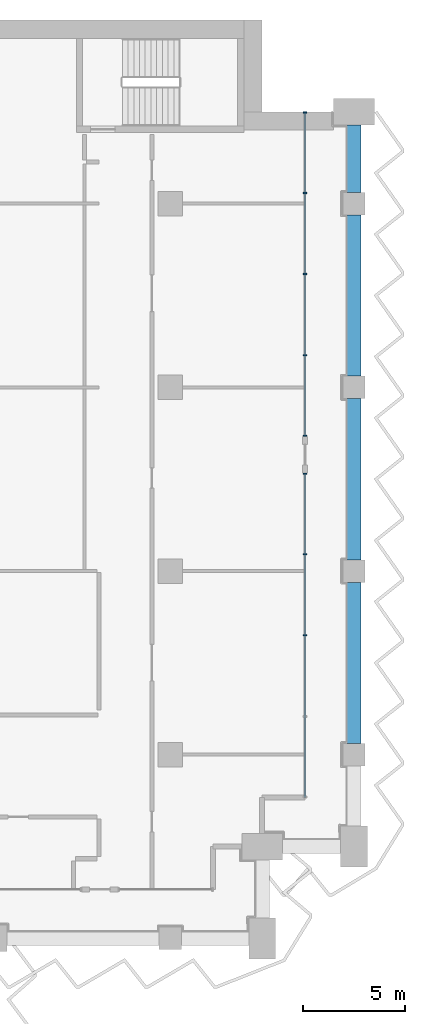
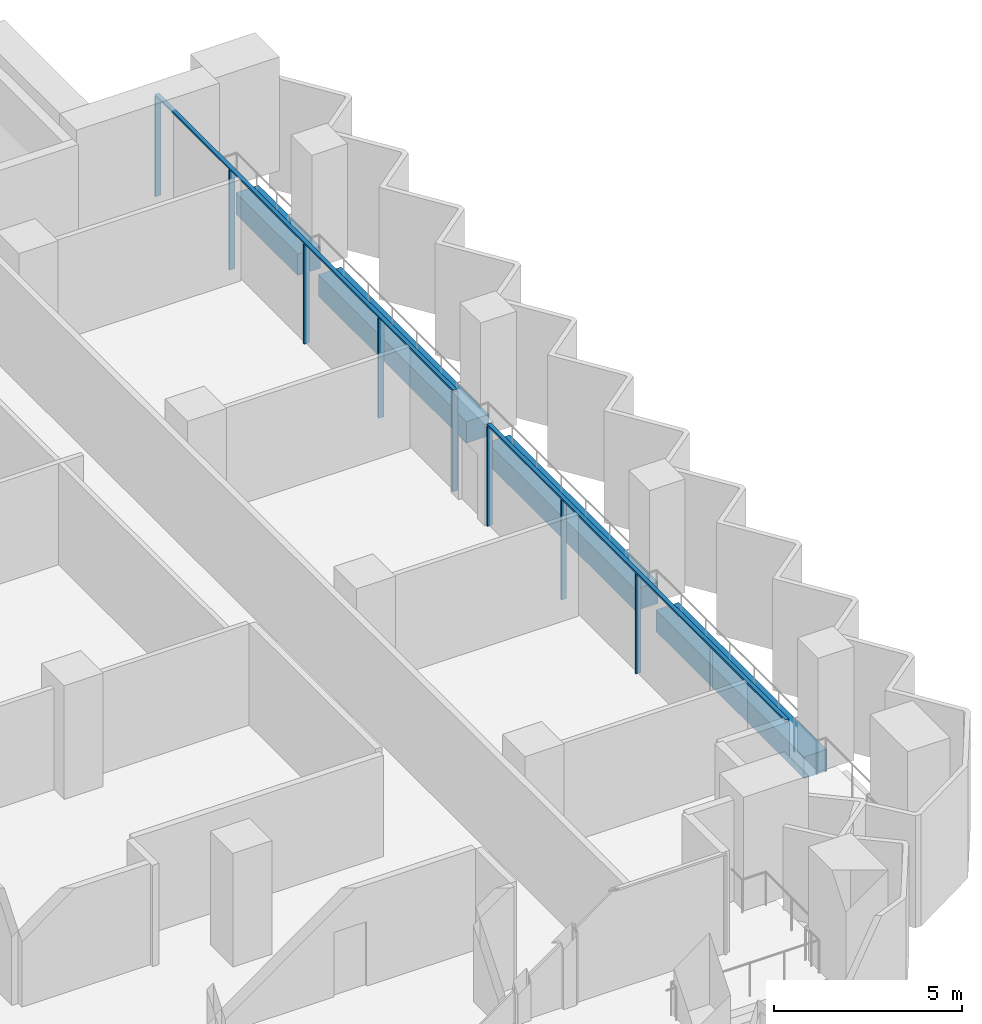
# One storey, part 5 of 22: 10 members, 4 beams, 2 elements without a shape of their own.
"""IFC4 building model written with IfcOpenShell, lengths in metres."""

from ifc_helpers import new_model, si_unit, direction, frame, origin, origin_2d, place, context, subcontext, project, spatial, rectangle, extrude, material, material_profile, profile_set, type_object, element, aggregate, save


model = new_model("IFC4")

# Units and contexts
model_context = context("Model", 3, precision=1e-05, world=origin(), true_north=direction((0.0, 1.0)))
body_context = subcontext(model_context, "Body", "Model", "MODEL_VIEW")
ifc_project = project(units=[si_unit("LENGTHUNIT", "METRE"), si_unit("AREAUNIT", "SQUARE_METRE"), si_unit("VOLUMEUNIT", "CUBIC_METRE"), si_unit("PLANEANGLEUNIT", "RADIAN"), si_unit("MASSUNIT", "GRAM", prefix="KILO")], contexts=[model_context])

# Site, building, storey
site_placement = place(None, origin())
site = spatial("IfcSite", under=ifc_project, at=site_placement, CompositionType="ELEMENT")
building_placement = place(site_placement, origin())
building = spatial("IfcBuilding", under=site, at=building_placement, Name="Hunhe Ridgeline Campus", CompositionType="ELEMENT")
storey_placement = place(building_placement, frame((0.0, 0.0, 159.699951171875)))
storey = spatial("IfcBuildingStorey", under=building, at=storey_placement, Name="L40", CompositionType="ELEMENT", Elevation=159.699951171875)

# Curtain wall, members
ifc_material_1 = material(Name="Aluminium 6063", Category="aluminium")
curtain_wall_type = type_object("IfcCurtainWallType", Name="Curtain wall CW-1", PredefinedType="NOTDEFINED", material=ifc_material_1)
curtain_wall_1_placement = place(storey_placement, origin())
curtain_wall_1 = element("IfcCurtainWall", 1, at=curtain_wall_1_placement, inside=storey, type_object=curtain_wall_type, Name="Curtain wall 15", PredefinedType="NOTDEFINED")
ifc_material_profile_1 = material_profile(ifc_material_1, rectangle(XDim=0.159912109375, YDim=0.06005859375, at=origin_2d()))
ifc_profile_set_1 = profile_set([ifc_material_profile_1], Name="Aluminium 6063")
member_type_1 = type_object("IfcMemberType", Name="CW-1 aluminium mullion", PredefinedType="MULLION", material=ifc_profile_set_1)
member_1_placement = place(storey_placement, frame((60.59912109375, 68.850830078125, 0.0), z_axis=(0.0, 0.0, 1.0), x_axis=(-1.0, 0.0, 0.0)))
member_1 = element("IfcMember", 2, at=member_1_placement, type_object=member_type_1, Name="CW-1 mullion 3", PredefinedType="MULLION", context=body_context, shape_type="SweptSolid", body=[
    extrude(rectangle(XDim=0.159912109375, YDim=0.06005859375, at=origin_2d()), origin(), (0.0, 0.0, 1.0), 3.239990234375),
])
member_2_placement = place(storey_placement, frame((60.59912109375, 72.82568359375, 0.0), z_axis=(0.0, 0.0, 1.0), x_axis=(-1.0, 0.0, 0.0)))
member_2 = element("IfcMember", 3, at=member_2_placement, type_object=member_type_1, Name="CW-1 mullion 4", PredefinedType="MULLION", context=body_context, shape_type="SweptSolid", body=[
    extrude(rectangle(XDim=0.159912109375, YDim=0.06005859375, at=origin_2d()), origin(), (0.0, 0.0, 1.0), 3.239990234375),
])
member_3_placement = place(storey_placement, frame((60.59912109375, 76.7705078125, 0.0), z_axis=(0.0, 0.0, 1.0), x_axis=(-1.0, 0.0, 0.0)))
member_3 = element("IfcMember", 4, at=member_3_placement, type_object=member_type_1, Name="CW-1 mullion 5", PredefinedType="MULLION", context=body_context, shape_type="SweptSolid", body=[
    extrude(rectangle(XDim=0.159912109375, YDim=0.06005859375, at=origin_2d()), origin(), (0.0, 0.0, 1.0), 3.239990234375),
])

curtain_wall_2_placement = place(storey_placement, origin())
curtain_wall_2 = element("IfcCurtainWall", 5, at=curtain_wall_2_placement, inside=storey, type_object=curtain_wall_type, Name="Curtain wall 16", PredefinedType="NOTDEFINED")
member_4_placement = place(storey_placement, frame((60.59912109375, 78.630615234375, 0.0), z_axis=(0.0, 0.0, 1.0), x_axis=(-1.0, 0.0, 0.0)))
member_4 = element("IfcMember", 6, at=member_4_placement, type_object=member_type_1, Name="CW-1 mullion 1", PredefinedType="MULLION", context=body_context, shape_type="SweptSolid", body=[
    extrude(rectangle(XDim=0.159912109375, YDim=0.06005859375, at=origin_2d()), origin(), (0.0, 0.0, 1.0), 3.239990234375),
])
member_5_placement = place(storey_placement, frame((60.59912109375, 82.575439453125, 0.0), z_axis=(0.0, 0.0, 1.0), x_axis=(-1.0, 0.0, 0.0)))
member_5 = element("IfcMember", 7, at=member_5_placement, type_object=member_type_1, Name="CW-1 mullion 2", PredefinedType="MULLION", context=body_context, shape_type="SweptSolid", body=[
    extrude(rectangle(XDim=0.159912109375, YDim=0.06005859375, at=origin_2d()), origin(), (0.0, 0.0, 1.0), 3.239990234375),
])
member_6_placement = place(storey_placement, frame((60.59912109375, 86.55029296875, 0.0), z_axis=(0.0, 0.0, 1.0), x_axis=(-1.0, 0.0, 0.0)))
member_6 = element("IfcMember", 8, at=member_6_placement, type_object=member_type_1, Name="CW-1 mullion 3", PredefinedType="MULLION", context=body_context, shape_type="SweptSolid", body=[
    extrude(rectangle(XDim=0.159912109375, YDim=0.06005859375, at=origin_2d()), origin(), (0.0, 0.0, 1.0), 3.239990234375),
])
member_7_placement = place(storey_placement, frame((60.59912109375, 90.525146484375, 0.0), z_axis=(0.0, 0.0, 1.0), x_axis=(-1.0, 0.0, 0.0)))
member_7 = element("IfcMember", 9, at=member_7_placement, type_object=member_type_1, Name="CW-1 mullion 4", PredefinedType="MULLION", context=body_context, shape_type="SweptSolid", body=[
    extrude(rectangle(XDim=0.159912109375, YDim=0.06005859375, at=origin_2d()), origin(), (0.0, 0.0, 1.0), 3.239990234375),
])
member_8_placement = place(storey_placement, frame((60.59912109375, 94.469970703125, 0.0), z_axis=(0.0, 0.0, 1.0), x_axis=(-1.0, 0.0, 0.0)))
member_8 = element("IfcMember", 10, at=member_8_placement, type_object=member_type_1, Name="CW-1 mullion 5", PredefinedType="MULLION", context=body_context, shape_type="SweptSolid", body=[
    extrude(rectangle(XDim=0.159912109375, YDim=0.06005859375, at=origin_2d()), origin(), (0.0, 0.0, 1.0), 3.239990234375),
])

# Member
ifc_material_profile_2 = material_profile(ifc_material_1, rectangle(XDim=0.1201171875, YDim=0.06005859375, at=origin_2d()))
ifc_profile_set_2 = profile_set([ifc_material_profile_2], Name="Aluminium 6063")
member_type_2 = type_object("IfcMemberType", Name="CW-1 aluminium transom", PredefinedType="USERDEFINED", material=ifc_profile_set_2)
member_9_placement = place(storey_placement, frame((60.59912109375, 60.90087890625, 3.27001953125), z_axis=(0.0, 1.0, 0.0), x_axis=(-1.0, 0.0, 0.0)))
member_9 = element("IfcMember", 11, at=member_9_placement, type_object=member_type_2, Name="CW-1 transom 1", ObjectType="TRANSOM", PredefinedType="USERDEFINED", context=body_context, shape_type="SweptSolid", body=[
    extrude(rectangle(XDim=0.1201171875, YDim=0.06005859375, at=origin_2d()), origin(), (0.0, 0.0, 1.0), 15.899658203125),
])

aggregate(curtain_wall_1, [member_9, member_1, member_2, member_3])

member_10_placement = place(storey_placement, frame((60.59912109375, 78.6005859375, 3.27001953125), z_axis=(0.0, 1.0, 0.0), x_axis=(-1.0, 0.0, 0.0)))
member_10 = element("IfcMember", 12, at=member_10_placement, type_object=member_type_2, Name="CW-1 transom 1", ObjectType="TRANSOM", PredefinedType="USERDEFINED", context=body_context, shape_type="SweptSolid", body=[
    extrude(rectangle(XDim=0.1201171875, YDim=0.06005859375, at=origin_2d()), origin(), (0.0, 0.0, 1.0), 15.8994140625),
])

aggregate(curtain_wall_2, [member_10, member_4, member_5, member_6, member_7, member_8])

# Beams
ifc_material_2 = material(Name="Concrete C60", Category="concrete")
ifc_material_profile_3 = material_profile(ifc_material_2, rectangle(XDim=0.699951171875, YDim=0.699951171875, at=origin_2d()))
ifc_profile_set_3 = profile_set([ifc_material_profile_3], Name="Concrete C60")
beam_type = type_object("IfcBeamType", Name="RC spandrel beam 700x700 Concrete C60", PredefinedType="SPANDREL", material=ifc_profile_set_3)
for number, where, z_axis, x_axis, name in (
    (13, (63.0, 63.550048828125, -0.599853515625), (0.0, 1.0, 0.0), (-1.0, 0.0, 0.0), "Spandrel beam B2-17 L40"),
    (14, (63.0, 72.550048828125, -0.599853515625), (0.0, 1.0, 0.0), (-1.0, 0.0, 0.0), "Spandrel beam B2-18 L40"),
    (15, (63.0, 81.550048828125, -0.599853515625), (0.0, 1.0, 0.0), (-1.0, 0.0, 0.0), "Spandrel beam B2-19 L40"),
):
    element("IfcBeam", number, at=place(storey_placement, frame(where, z_axis=z_axis, x_axis=x_axis)), inside=storey, type_object=beam_type, Name=name, PredefinedType="SPANDREL", context=body_context, shape_type="SweptSolid", body=[
        extrude(rectangle(XDim=0.699951171875, YDim=0.699951171875, at=origin_2d()), origin(), (0.0, 0.0, 1.0), 7.89990234375),
    ])
beam_placement = place(storey_placement, frame((63.0, 90.550048828125, -0.599853515625), z_axis=(0.0, 1.0, 0.0), x_axis=(-1.0, 0.0, 0.0)))
element("IfcBeam", 16, at=beam_placement, inside=storey, type_object=beam_type, Name="Spandrel beam B2-20 L40", PredefinedType="SPANDREL", context=body_context, shape_type="SweptSolid", body=[
    extrude(rectangle(XDim=0.699951171875, YDim=0.699951171875, at=origin_2d()), origin(), (0.0, 0.0, 1.0), 3.300048828125),
])

save(model, "model.ifc")
